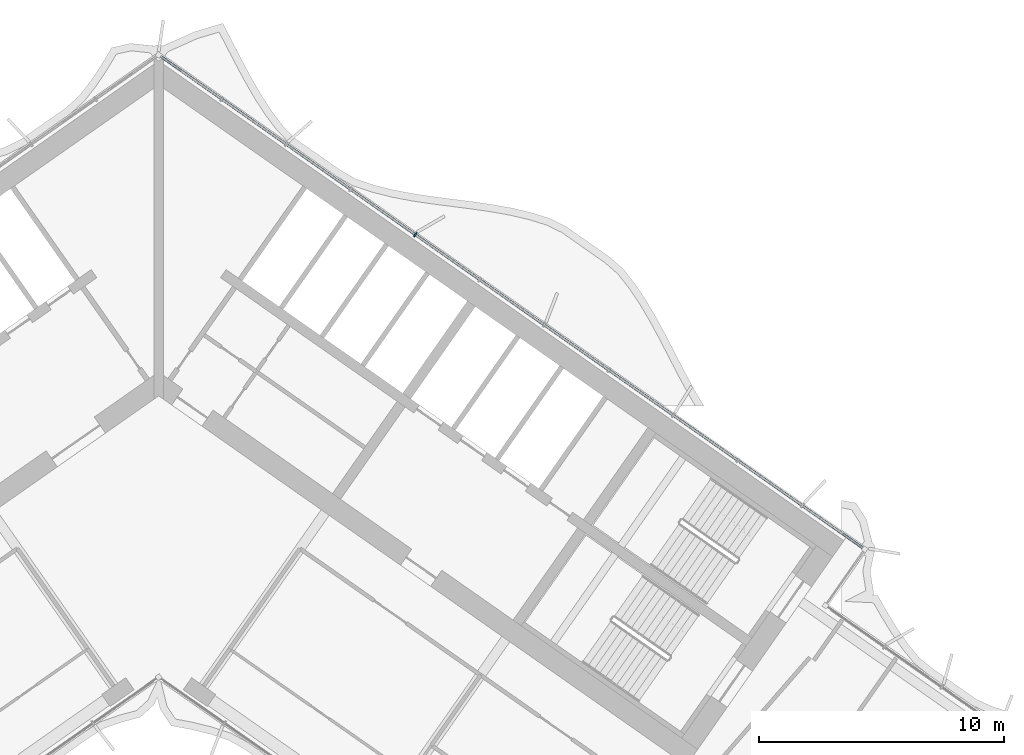
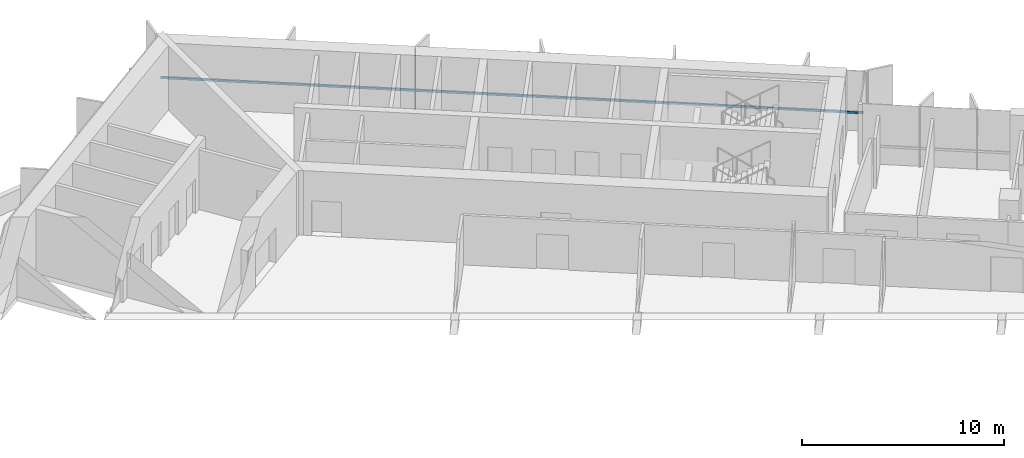
# One storey, part 10 of 23: 2 members, 1 element without a shape of its own.
"""IFC4 building model written with IfcOpenShell, lengths in metres."""

from ifc_helpers import new_model, si_unit, direction, frame, origin, origin_2d, place, context, subcontext, project, spatial, rectangle, extrude, material, material_profile, profile_set, type_object, element, aggregate, save


model = new_model("IFC4")

# Units and contexts
model_context = context("Model", 3, precision=1e-05, world=origin(), true_north=direction((0.0, 1.0)))
body_context = subcontext(model_context, "Body", "Model", "MODEL_VIEW")
ifc_project = project(units=[si_unit("LENGTHUNIT", "METRE"), si_unit("AREAUNIT", "SQUARE_METRE"), si_unit("VOLUMEUNIT", "CUBIC_METRE"), si_unit("PLANEANGLEUNIT", "RADIAN"), si_unit("MASSUNIT", "GRAM", prefix="KILO")], contexts=[model_context])

# Site, building, storey
site_placement = place(None, origin())
site = spatial("IfcSite", under=ifc_project, at=site_placement, CompositionType="ELEMENT")
building_placement = place(site_placement, origin())
building = spatial("IfcBuilding", under=site, at=building_placement, Name="Tel Ilan Convention Tower", CompositionType="ELEMENT")
storey_placement = place(building_placement, frame((0.0, 0.0, 178.800048828125)))
storey = spatial("IfcBuildingStorey", under=building, at=storey_placement, Name="L41", CompositionType="ELEMENT", Elevation=178.800048828125)

# Curtain wall, members
ifc_material_1 = material(Name="Aluminium, bronze anodised", Category="aluminium")
curtain_wall_type = type_object("IfcCurtainWallType", Name="CW2 STICK CURTAIN WALL, SPANDREL PANELS", PredefinedType="NOTDEFINED", material=ifc_material_1)
curtain_wall_placement = place(storey_placement, origin())
curtain_wall = element("IfcCurtainWall", 1, at=curtain_wall_placement, inside=storey, type_object=curtain_wall_type, Name="Curtain wall CW2-31.01", PredefinedType="NOTDEFINED")
ifc_material_2 = material(Name="Aluminium, bronze anodised", Category="aluminium")
ifc_material_profile_1 = material_profile(ifc_material_2, rectangle(XDim=0.06005859375, YDim=0.199951171875, at=origin_2d()), Name="CW MULLION 60x200")
ifc_profile_set_1 = profile_set([ifc_material_profile_1], Name="Aluminium, bronze anodised")
member_type_1 = type_object("IfcMemberType", Name="CW MULLION 60x200", PredefinedType="MULLION", material=ifc_profile_set_1)
member_1_placement = place(storey_placement, frame((10.47314453125, 5.36279296875, 0.0), z_axis=(0.0, 0.0, 1.0), x_axis=(-0.819152044289, 0.573576436351, 0.0)))
member_1 = element("IfcMember", 2, at=member_1_placement, type_object=member_type_1, Name="Mullion", PredefinedType="MULLION", context=body_context, shape_type="SweptSolid", body=[
    extrude(rectangle(XDim=0.06005859375, YDim=0.199951171875, at=origin_2d()), origin(), (0.0, 0.0, 1.0), 3.619873046875),
])
ifc_material_3 = material(Name="Aluminium, bronze anodised", Category="aluminium")
ifc_material_profile_2 = material_profile(ifc_material_3, rectangle(XDim=0.10009765625, YDim=0.1201171875, at=origin_2d()), Name="CW TRANSOM 100x120")
ifc_profile_set_2 = profile_set([ifc_material_profile_2], Name="Aluminium, bronze anodised")
member_type_2 = type_object("IfcMemberType", Name="CW TRANSOM 100x120", PredefinedType="USERDEFINED", material=ifc_profile_set_2)
member_2_placement = place(storey_placement, frame((28.737548828125, -7.42626953125, 1.099853515625), z_axis=(-0.819150201937, 0.573579067494, 0.0), x_axis=(-0.573579067494, -0.819150201937, 0.0)))
member_2 = element("IfcMember", 3, at=member_2_placement, type_object=member_type_2, Name="Transom", ObjectType="TRANSOM", PredefinedType="USERDEFINED", context=body_context, shape_type="SweptSolid", body=[
    extrude(rectangle(XDim=0.10009765625, YDim=0.1201171875, at=origin_2d()), origin(), (0.0, 0.0, 1.0), 34.9521484375),
])
aggregate(curtain_wall, [member_1, member_2])

save(model, "model.ifc")
